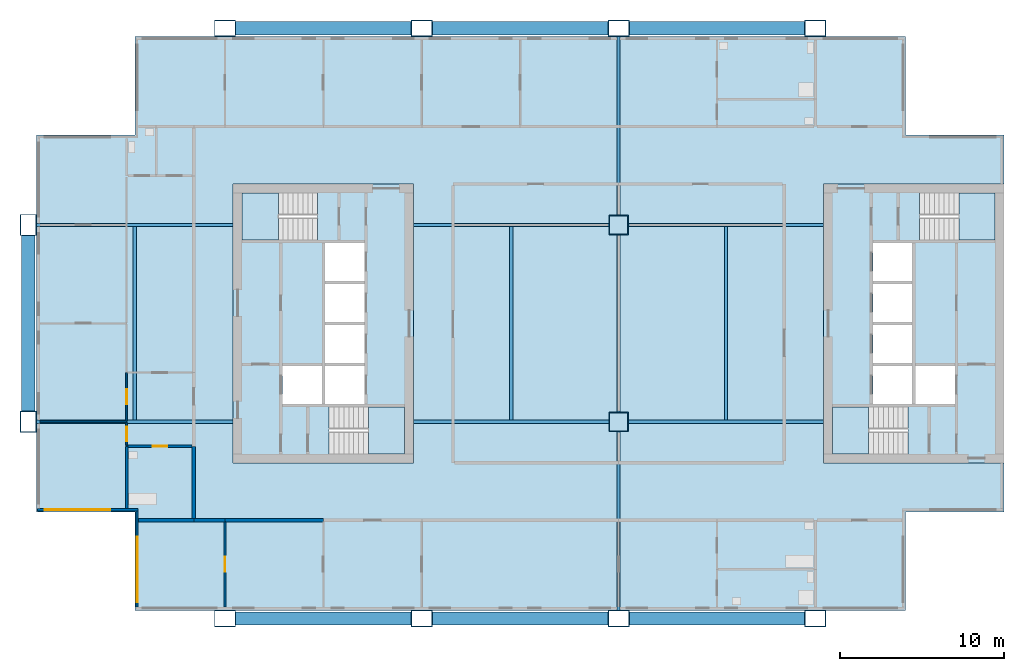
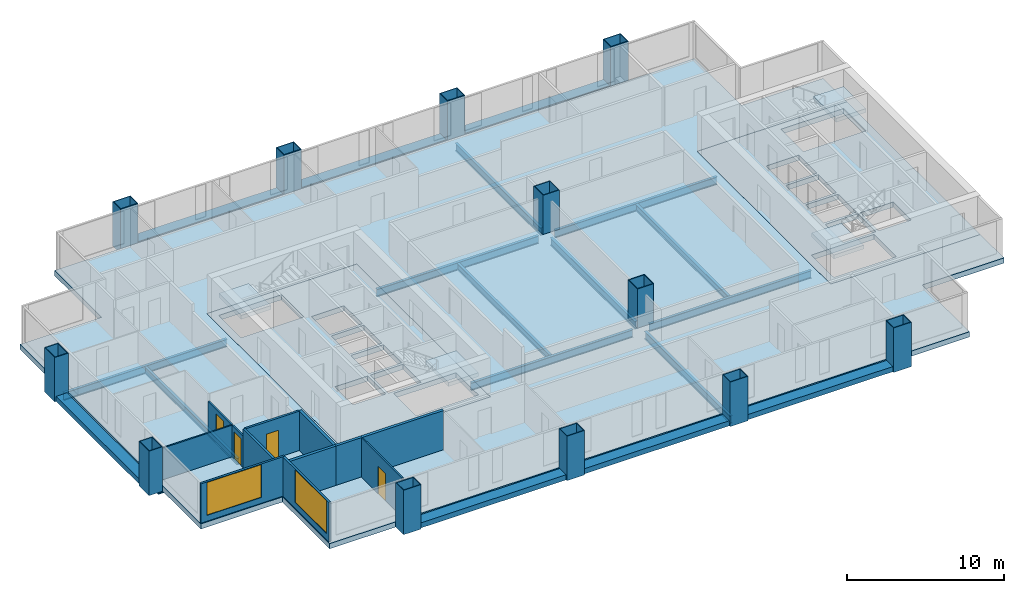
# One storey, part 1 of 9: 19 beams, 12 columns, 12 walls, 7 slabs, 4 doors, 2 windows, 6 openings, 4 elements without a shape of their own.
"""IFC4 building model written with IfcOpenShell, lengths in metres."""

from ifc_helpers import new_model, si_unit, direction, frame, frame_2d, origin, origin_2d, place, context, subcontext, project, spatial, polyline, rectangle, hollow_rectangle, i_section, outline, extrude, material, layer, layer_set, material_profile, profile_set, type_object, element, fill, aggregate, save


model = new_model("IFC4")

# Units and contexts
model_context = context("Model", 3, precision=1e-05, world=origin(), true_north=direction((0.0, 1.0)))
body_context = subcontext(model_context, "Body", "Model", "MODEL_VIEW")
ifc_project = project(units=[si_unit("LENGTHUNIT", "METRE"), si_unit("AREAUNIT", "SQUARE_METRE"), si_unit("VOLUMEUNIT", "CUBIC_METRE"), si_unit("PLANEANGLEUNIT", "RADIAN"), si_unit("MASSUNIT", "GRAM", prefix="KILO")], contexts=[model_context])

# Site, building, storey
site_placement = place(None, origin())
site = spatial("IfcSite", under=ifc_project, at=site_placement, CompositionType="ELEMENT")
building_placement = place(site_placement, origin())
building = spatial("IfcBuilding", under=site, at=building_placement, Name="Kitamizu Gate Tower and Museum", CompositionType="ELEMENT")
storey_placement = place(building_placement, frame((0.0, 0.0, 168.60009765625)))
storey = spatial("IfcBuildingStorey", under=building, at=storey_placement, Name="L44", CompositionType="ELEMENT", Elevation=168.60009765625)

# Columns
ifc_material_1 = material(Name="Steel SM490A bronze coated", Category="steel")
ifc_material_profile_1 = material_profile(ifc_material_1, hollow_rectangle(XDim=1.300048828125, YDim=1.0, WallThickness=0.050048828125, at=origin_2d()), Name="BOX 1300x1000x50")
ifc_profile_set_1 = profile_set([ifc_material_profile_1], Name="Steel SM490A bronze coated")
column_type_1 = type_object("IfcColumnType", Name="Exoskeleton column XC6 BOX 1300x1000x50", PredefinedType="COLUMN", material=ifc_profile_set_1)
for number, where, z_axis, x_axis, name in (
    (1, (0.0, 24.0, -0.400146484375), (0.0, 0.0, 1.0), (0.0, 1.0, 0.0), "Column XC6 1C L44"),
    (2, (0.0, 36.0, -0.400146484375), (0.0, 0.0, 1.0), (0.0, 1.0, 0.0), "Column XC6 1D L44"),
    (3, (12.0, 12.0, -0.400146484375), (0.0, 0.0, 1.0), (1.0, 0.0, 0.0), "Column XC6 2B L44"),
    (4, (12.0, 48.0, -0.400146484375), (0.0, 0.0, 1.0), (1.0, 0.0, 0.0), "Column XC6 2E L44"),
    (5, (24.0, 12.0, -0.400146484375), (0.0, 0.0, 1.0), (1.0, 0.0, 0.0), "Column XC6 3B L44"),
    (6, (24.0, 48.0, -0.400146484375), (0.0, 0.0, 1.0), (1.0, 0.0, 0.0), "Column XC6 3E L44"),
    (7, (36.0, 12.0, -0.400146484375), (0.0, 0.0, 1.0), (1.0, 0.0, 0.0), "Column XC6 4B L44"),
    (8, (36.0, 48.0, -0.400146484375), (0.0, 0.0, 1.0), (1.0, 0.0, 0.0), "Column XC6 4E L44"),
    (9, (48.0, 12.0, -0.400146484375), (0.0, 0.0, 1.0), (1.0, 0.0, 0.0), "Column XC6 5B L44"),
    (10, (48.0, 48.0, -0.400146484375), (0.0, 0.0, 1.0), (1.0, 0.0, 0.0), "Column XC6 5E L44"),
):
    element("IfcColumn", number, at=place(storey_placement, frame(where, z_axis=z_axis, x_axis=x_axis)), inside=storey, type_object=column_type_1, Name=name, PredefinedType="COLUMN", context=body_context, shape_type="SweptSolid", body=[
        extrude(hollow_rectangle(XDim=1.300048828125, YDim=1.0, WallThickness=0.050048828125, at=origin_2d()), origin(), (0.0, 0.0, 1.0), 3.449951171875),
    ])
ifc_material_2 = material(Name="Steel SM490A", Category="steel")
ifc_material_profile_2 = material_profile(ifc_material_2, hollow_rectangle(XDim=1.199951171875, YDim=1.199951171875, WallThickness=0.050048828125, at=origin_2d()), Name="BOX 1200x1200x50")
ifc_profile_set_2 = profile_set([ifc_material_profile_2], Name="Steel SM490A")
column_type_2 = type_object("IfcColumnType", Name="Interior column IC4 BOX 1200x1200x50", PredefinedType="COLUMN", material=ifc_profile_set_2)
for number, where, z_axis, x_axis, name in (
    (11, (36.0, 24.0, 0.0), (0.0, 0.0, 1.0), (1.0, 0.0, 0.0), "Column IC4 4C L44"),
    (12, (36.0, 36.0, 0.0), (0.0, 0.0, 1.0), (1.0, 0.0, 0.0), "Column IC4 4D L44"),
):
    element("IfcColumn", number, at=place(storey_placement, frame(where, z_axis=z_axis, x_axis=x_axis)), inside=storey, type_object=column_type_2, Name=name, PredefinedType="COLUMN", context=body_context, shape_type="SweptSolid", body=[
        extrude(hollow_rectangle(XDim=1.199951171875, YDim=1.199951171875, WallThickness=0.050048828125, at=origin_2d()), origin(), (0.0, 0.0, 1.0), 3.0498046875),
    ])

# Beams
ifc_material_3 = material(Name="Steel SM490A bronze coated", Category="steel")
ifc_material_profile_3 = material_profile(ifc_material_3, hollow_rectangle(XDim=0.800048828125, YDim=0.39990234375, WallThickness=0.0400390625, at=origin_2d()), Name="BOX 800x400x40")
ifc_profile_set_3 = profile_set([ifc_material_profile_3], Name="Steel SM490A bronze coated")
beam_type_1 = type_object("IfcBeamType", Name="Exoskeleton spandrel beam SB1 BOX 800x400x40", PredefinedType="SPANDREL", material=ifc_profile_set_3)
for number, where, z_axis, x_axis, name in (
    (13, (12.64990234375, 12.0, -0.2001953125), (1.0, 0.0, 0.0), (0.0, 1.0, 0.0), "Exoskeleton spandrel beam south 12 L44"),
    (14, (24.64990234375, 12.0, -0.2001953125), (1.0, 0.0, 0.0), (0.0, 1.0, 0.0), "Exoskeleton spandrel beam south 24 L44"),
    (15, (36.64990234375, 12.0, -0.2001953125), (1.0, 0.0, 0.0), (0.0, 1.0, 0.0), "Exoskeleton spandrel beam south 36 L44"),
    (16, (12.64990234375, 48.0, -0.2001953125), (1.0, 0.0, 0.0), (0.0, 1.0, 0.0), "Exoskeleton spandrel beam north 12 L44"),
    (17, (24.64990234375, 48.0, -0.2001953125), (1.0, 0.0, 0.0), (0.0, 1.0, 0.0), "Exoskeleton spandrel beam north 24 L44"),
    (18, (36.64990234375, 48.0, -0.2001953125), (1.0, 0.0, 0.0), (0.0, 1.0, 0.0), "Exoskeleton spandrel beam north 36 L44"),
    (19, (0.0, 24.64990234375, -0.2001953125), (0.0, 1.0, 0.0), (-1.0, 0.0, 0.0), "Exoskeleton spandrel beam west 24 L44"),
):
    element("IfcBeam", number, at=place(storey_placement, frame(where, z_axis=z_axis, x_axis=x_axis)), inside=storey, type_object=beam_type_1, Name=name, PredefinedType="SPANDREL", context=body_context, shape_type="SweptSolid", body=[
        extrude(hollow_rectangle(XDim=0.800048828125, YDim=0.39990234375, WallThickness=0.0400390625, at=origin_2d()), origin(), (0.0, 0.0, 1.0), 10.7001953125),
    ])
ifc_material_4 = material(Name="Steel SM490A", Category="steel")
ifc_material_profile_4 = material_profile(ifc_material_4, i_section(OverallWidth=0.199951171875, OverallDepth=0.5, WebThickness=0.010009765625, FlangeThickness=0.01611328125, FilletRadius=0.02001953125, at=origin_2d()), Name="H-500x200x10x16")
ifc_profile_set_4 = profile_set([ifc_material_profile_4], Name="Steel SM490A")
beam_type_2 = type_object("IfcBeamType", Name="Floor beam FB1 H 500x200x10x16", PredefinedType="BEAM", material=ifc_profile_set_4)
for number, where, z_axis, x_axis, name in (
    (20, (6.5, 24.10009765625, -0.650146484375), (0.0, 1.0, 0.0), (-1.0, 0.0, 0.0), "Floor beam FB1 L44-1"),
    (21, (29.449951171875, 24.10009765625, -0.650146484375), (0.0, 1.0, 0.0), (-1.0, 0.0, 0.0), "Floor beam FB1 L44-2"),
    (22, (42.550048828125, 24.10009765625, -0.650146484375), (0.0, 1.0, 0.0), (-1.0, 0.0, 0.0), "Floor beam FB1 L44-3"),
):
    element("IfcBeam", number, at=place(storey_placement, frame(where, z_axis=z_axis, x_axis=x_axis)), inside=storey, type_object=beam_type_2, Name=name, PredefinedType="BEAM", context=body_context, shape_type="SweptSolid", body=[
        extrude(i_section(OverallWidth=0.199951171875, OverallDepth=0.5, WebThickness=0.010009765625, FlangeThickness=0.01611328125, FilletRadius=0.02001953125, at=origin_2d()), origin(), (0.0, 0.0, 1.0), 11.7998046875),
    ])
ifc_material_5 = material(Name="Steel SM490A", Category="steel")
ifc_material_profile_5 = material_profile(ifc_material_5, i_section(OverallWidth=0.199951171875, OverallDepth=0.60009765625, WebThickness=0.010986328125, FlangeThickness=0.01708984375, FilletRadius=0.02197265625, at=origin_2d()), Name="H-600x200x11x17")
ifc_profile_set_5 = profile_set([ifc_material_profile_5], Name="Steel SM490A")
beam_type_3 = type_object("IfcBeamType", Name="Floor girder FG1 H 600x200x11x17", PredefinedType="BEAM", material=ifc_profile_set_5)
beam_1_placement = place(storey_placement, frame((36.0, 12.5, -0.7001953125), z_axis=(0.0, 1.0, 0.0), x_axis=(-1.0, 0.0, 0.0)))
element("IfcBeam", 23, at=beam_1_placement, inside=storey, type_object=beam_type_3, Name="Floor girder FG1 x36 L44", PredefinedType="BEAM", context=body_context, shape_type="SweptSolid", body=[
    extrude(i_section(OverallWidth=0.199951171875, OverallDepth=0.60009765625, WebThickness=0.010986328125, FlangeThickness=0.01708984375, FilletRadius=0.02197265625, at=origin_2d()), origin(), (0.0, 0.0, 1.0), 10.89990234375),
])
beam_2_placement = place(storey_placement, frame((36.0, 24.60009765625, -0.7001953125), z_axis=(0.0, 1.0, 0.0), x_axis=(-1.0, 0.0, 0.0)))
element("IfcBeam", 24, at=beam_2_placement, inside=storey, type_object=beam_type_3, Name="Floor girder FG1 x36 L44", PredefinedType="BEAM", context=body_context, shape_type="SweptSolid", body=[
    extrude(i_section(OverallWidth=0.199951171875, OverallDepth=0.60009765625, WebThickness=0.010986328125, FlangeThickness=0.01708984375, FilletRadius=0.02197265625, at=origin_2d()), origin(), (0.0, 0.0, 1.0), 10.7998046875),
])
beam_3_placement = place(storey_placement, frame((36.0, 36.60009765625, -0.7001953125), z_axis=(0.0, 1.0, 0.0), x_axis=(-1.0, 0.0, 0.0)))
element("IfcBeam", 25, at=beam_3_placement, inside=storey, type_object=beam_type_3, Name="Floor girder FG1 x36 L44", PredefinedType="BEAM", context=body_context, shape_type="SweptSolid", body=[
    extrude(i_section(OverallWidth=0.199951171875, OverallDepth=0.60009765625, WebThickness=0.010986328125, FlangeThickness=0.01708984375, FilletRadius=0.02197265625, at=origin_2d()), origin(), (0.0, 0.0, 1.0), 10.89990234375),
])
beam_4_placement = place(storey_placement, frame((0.5, 24.0, -0.7001953125), z_axis=(1.0, 0.0, 0.0), x_axis=(0.0, 1.0, 0.0)))
element("IfcBeam", 26, at=beam_4_placement, inside=storey, type_object=beam_type_3, Name="Floor girder FG1 y24 L44", PredefinedType="BEAM", context=body_context, shape_type="SweptSolid", body=[
    extrude(i_section(OverallWidth=0.199951171875, OverallDepth=0.60009765625, WebThickness=0.010986328125, FlangeThickness=0.01708984375, FilletRadius=0.02197265625, at=origin_2d()), origin(), (0.0, 0.0, 1.0), 12.0),
])
for number, where, z_axis, x_axis, name in (
    (27, (23.5, 24.0, -0.7001953125), (1.0, 0.0, 0.0), (0.0, 1.0, 0.0), "Floor girder FG1 y24 L44"),
    (28, (36.60009765625, 24.0, -0.7001953125), (1.0, 0.0, 0.0), (0.0, 1.0, 0.0), "Floor girder FG1 y24 L44"),
):
    element("IfcBeam", number, at=place(storey_placement, frame(where, z_axis=z_axis, x_axis=x_axis)), inside=storey, type_object=beam_type_3, Name=name, PredefinedType="BEAM", context=body_context, shape_type="SweptSolid", body=[
        extrude(i_section(OverallWidth=0.199951171875, OverallDepth=0.60009765625, WebThickness=0.010986328125, FlangeThickness=0.01708984375, FilletRadius=0.02197265625, at=origin_2d()), origin(), (0.0, 0.0, 1.0), 11.89990234375),
    ])
beam_5_placement = place(storey_placement, frame((0.5, 36.0, -0.7001953125), z_axis=(1.0, 0.0, 0.0), x_axis=(0.0, 1.0, 0.0)))
element("IfcBeam", 29, at=beam_5_placement, inside=storey, type_object=beam_type_3, Name="Floor girder FG1 y36 L44", PredefinedType="BEAM", context=body_context, shape_type="SweptSolid", body=[
    extrude(i_section(OverallWidth=0.199951171875, OverallDepth=0.60009765625, WebThickness=0.010986328125, FlangeThickness=0.01708984375, FilletRadius=0.02197265625, at=origin_2d()), origin(), (0.0, 0.0, 1.0), 12.0),
])
for number, where, z_axis, x_axis, name in (
    (30, (23.5, 36.0, -0.7001953125), (1.0, 0.0, 0.0), (0.0, 1.0, 0.0), "Floor girder FG1 y36 L44"),
    (31, (36.60009765625, 36.0, -0.7001953125), (1.0, 0.0, 0.0), (0.0, 1.0, 0.0), "Floor girder FG1 y36 L44"),
):
    element("IfcBeam", number, at=place(storey_placement, frame(where, z_axis=z_axis, x_axis=x_axis)), inside=storey, type_object=beam_type_3, Name=name, PredefinedType="BEAM", context=body_context, shape_type="SweptSolid", body=[
        extrude(i_section(OverallWidth=0.199951171875, OverallDepth=0.60009765625, WebThickness=0.010986328125, FlangeThickness=0.01708984375, FilletRadius=0.02197265625, at=origin_2d()), origin(), (0.0, 0.0, 1.0), 11.89990234375),
    ])

# Slabs
ifc_material_6 = material(Name="Concrete Fc36", Category="concrete")
ifc_layer_1 = layer(ifc_material_6, 0.39990234375)
ifc_layer_set_1 = layer_set([ifc_layer_1], Name="Concrete Fc36")
slab_type_1 = type_object("IfcSlabType", Name="Core floor slab 400", PredefinedType="FLOOR", material=ifc_layer_set_1)
slab_1_placement = place(storey_placement, frame((0.0, 0.0, -0.400146484375)))
element("IfcSlab", 32, at=slab_1_placement, inside=storey, type_object=slab_type_1, Name="Core floor slab W", PredefinedType="FLOOR", context=body_context, shape_type="SweptSolid", body=[
    extrude(outline(polyline([(12.5, 21.5), (23.5, 21.5), (23.5, 38.5), (12.5, 38.5), (12.5, 21.5)]), holes=[polyline([(15.5, 25.10009765625), (17.89990234375, 25.10009765625), (17.89990234375, 27.39990234375), (15.5, 27.39990234375), (15.5, 25.10009765625)]), polyline([(18.10009765625, 25.10009765625), (20.5, 25.10009765625), (20.5, 27.39990234375), (18.10009765625, 27.39990234375), (18.10009765625, 25.10009765625)]), polyline([(18.10009765625, 27.60009765625), (20.5, 27.60009765625), (20.5, 29.89990234375), (18.10009765625, 29.89990234375), (18.10009765625, 27.60009765625)]), polyline([(18.10009765625, 30.10009765625), (20.5, 30.10009765625), (20.5, 32.39990234375), (18.10009765625, 32.39990234375), (18.10009765625, 30.10009765625)]), polyline([(18.10009765625, 32.60009765625), (20.5, 32.60009765625), (20.5, 34.89990234375), (18.10009765625, 34.89990234375), (18.10009765625, 32.60009765625)]), polyline([(18.3505859375, 22.050048828125), (22.949951171875, 22.050048828125), (22.949951171875, 24.89990234375), (18.3505859375, 24.89990234375), (18.3505859375, 22.050048828125)]), polyline([(13.050048828125, 35.10009765625), (17.6494140625, 35.10009765625), (17.6494140625, 37.949951171875), (13.050048828125, 37.949951171875), (13.050048828125, 35.10009765625)])]), origin(), (0.0, 0.0, 1.0), 0.400146484375),
])
slab_2_placement = place(storey_placement, frame((0.0, 0.0, -0.400146484375)))
element("IfcSlab", 33, at=slab_2_placement, inside=storey, type_object=slab_type_1, Name="Core floor slab E", PredefinedType="FLOOR", context=body_context, shape_type="SweptSolid", body=[
    extrude(outline(polyline([(48.5, 21.5), (59.5, 21.5), (59.5, 38.5), (48.5, 38.5), (48.5, 21.5)]), holes=[polyline([(54.10009765625, 25.10009765625), (56.5, 25.10009765625), (56.5, 27.39990234375), (54.10009765625, 27.39990234375), (54.10009765625, 25.10009765625)]), polyline([(51.5, 25.10009765625), (53.89990234375, 25.10009765625), (53.89990234375, 27.39990234375), (51.5, 27.39990234375), (51.5, 25.10009765625)]), polyline([(51.5, 27.60009765625), (53.89990234375, 27.60009765625), (53.89990234375, 29.89990234375), (51.5, 29.89990234375), (51.5, 27.60009765625)]), polyline([(51.5, 30.10009765625), (53.89990234375, 30.10009765625), (53.89990234375, 32.39990234375), (51.5, 32.39990234375), (51.5, 30.10009765625)]), polyline([(51.5, 32.60009765625), (53.89990234375, 32.60009765625), (53.89990234375, 34.89990234375), (51.5, 34.89990234375), (51.5, 32.60009765625)]), polyline([(49.050048828125, 22.050048828125), (53.6494140625, 22.050048828125), (53.6494140625, 24.89990234375), (49.050048828125, 24.89990234375), (49.050048828125, 22.050048828125)]), polyline([(54.3505859375, 35.10009765625), (58.949951171875, 35.10009765625), (58.949951171875, 37.949951171875), (54.3505859375, 37.949951171875), (54.3505859375, 35.10009765625)])]), origin(), (0.0, 0.0, 1.0), 0.400146484375),
])
ifc_material_7 = material(Name="Concrete Fc36", Category="concrete")
ifc_layer_2 = layer(ifc_material_7, 0.39990234375)
ifc_layer_set_2 = layer_set([ifc_layer_2], Name="Concrete Fc36")
slab_type_2 = type_object("IfcSlabType", Name="Post tensioned flat slab 400", PredefinedType="FLOOR", material=ifc_layer_set_2)
slab_3_placement = place(storey_placement, frame((0.0, 0.0, -0.400146484375)))
element("IfcSlab", 34, at=slab_3_placement, inside=storey, type_object=slab_type_2, Name="Floor slab L44-1", PredefinedType="FLOOR", context=body_context, shape_type="SweptSolid", body=[
    extrude(outline(polyline([(0.5, 18.5), (0.5, 41.5), (6.5, 41.5), (6.5, 47.5), (53.5, 47.5), (53.5, 41.5), (59.5, 41.5), (59.5, 38.5), (48.5, 38.5), (48.5, 21.5), (59.5, 21.5), (59.5, 18.5), (53.5, 18.5), (53.5, 12.5), (6.5, 12.5), (6.5, 18.5), (0.5, 18.5)]), holes=[polyline([(12.5, 38.5), (12.5, 21.5), (23.5, 21.5), (23.5, 38.5), (12.5, 38.5)])]), origin(), (0.0, 0.0, 1.0), 0.400146484375),
])

# Stair, slab
ifc_material_8 = material(Name="Concrete Fc42", Category="concrete")
stair_type = type_object("IfcStairType", Name="Exit stair 1325 wide 192 rise 300 going", PredefinedType="HALF_TURN_STAIR", material=ifc_material_8)
stair_1_placement = place(storey_placement, origin())
stair_1 = element("IfcStair", 35, at=stair_1_placement, inside=storey, type_object=stair_type, Name="Exit stair ST1", PredefinedType="HALF_TURN_STAIR")
ifc_material_9 = material(Name="Concrete Fc42", Category="concrete")
ifc_layer_3 = layer(ifc_material_9, 0.300048828125)
ifc_layer_set_3 = layer_set([ifc_layer_3], Name="Concrete Fc42")
slab_type_3 = type_object("IfcSlabType", Name="Stair landing 300", PredefinedType="LANDING", material=ifc_layer_set_3)
slab_4_placement = place(storey_placement, frame((0.0, 0.0, 1.4248046875)))
slab_4 = element("IfcSlab", 36, at=slab_4_placement, type_object=slab_type_3, Name="ST1 landing 1", PredefinedType="LANDING", context=body_context, shape_type="SweptSolid", body=[
    extrude(outline(polyline([(20.75, 22.050048828125), (22.949951171875, 22.050048828125), (22.949951171875, 24.89990234375), (20.75, 24.89990234375), (20.75, 22.050048828125)])), origin(), (0.0, 0.0, 1.0), 0.300048828125),
])
aggregate(stair_1, [slab_4])

stair_2_placement = place(storey_placement, origin())
stair_2 = element("IfcStair", 37, at=stair_2_placement, inside=storey, type_object=stair_type, Name="Exit stair ST2", PredefinedType="HALF_TURN_STAIR")
slab_5_placement = place(storey_placement, frame((0.0, 0.0, 1.4248046875)))
slab_5 = element("IfcSlab", 38, at=slab_5_placement, type_object=slab_type_3, Name="ST2 landing 1", PredefinedType="LANDING", context=body_context, shape_type="SweptSolid", body=[
    extrude(outline(polyline([(13.050048828125, 35.10009765625), (15.25, 35.10009765625), (15.25, 37.949951171875), (13.050048828125, 37.949951171875), (13.050048828125, 35.10009765625)])), origin(), (0.0, 0.0, 1.0), 0.300048828125),
])
aggregate(stair_2, [slab_5])

stair_3_placement = place(storey_placement, origin())
stair_3 = element("IfcStair", 39, at=stair_3_placement, inside=storey, type_object=stair_type, Name="Exit stair ST3", PredefinedType="HALF_TURN_STAIR")
slab_6_placement = place(storey_placement, frame((0.0, 0.0, 1.4248046875)))
slab_6 = element("IfcSlab", 40, at=slab_6_placement, type_object=slab_type_3, Name="ST3 landing 1", PredefinedType="LANDING", context=body_context, shape_type="SweptSolid", body=[
    extrude(outline(polyline([(49.050048828125, 22.050048828125), (51.25, 22.050048828125), (51.25, 24.89990234375), (49.050048828125, 24.89990234375), (49.050048828125, 22.050048828125)])), origin(), (0.0, 0.0, 1.0), 0.300048828125),
])
aggregate(stair_3, [slab_6])

stair_4_placement = place(storey_placement, origin())
stair_4 = element("IfcStair", 41, at=stair_4_placement, inside=storey, type_object=stair_type, Name="Exit stair ST4", PredefinedType="HALF_TURN_STAIR")
slab_7_placement = place(storey_placement, frame((0.0, 0.0, 1.4248046875)))
slab_7 = element("IfcSlab", 42, at=slab_7_placement, type_object=slab_type_3, Name="ST4 landing 1", PredefinedType="LANDING", context=body_context, shape_type="SweptSolid", body=[
    extrude(outline(polyline([(56.75, 35.10009765625), (58.949951171875, 35.10009765625), (58.949951171875, 37.949951171875), (56.75, 37.949951171875), (56.75, 35.10009765625)])), origin(), (0.0, 0.0, 1.0), 0.300048828125),
])
aggregate(stair_4, [slab_7])

# Wall, opening, door
ifc_material_10 = material(Name="Gypsum board on galvanised stud")
ifc_layer_4 = layer(ifc_material_10, 0.10009765625)
ifc_layer_set_4 = layer_set([ifc_layer_4], Name="Gypsum board on galvanised stud")
wall_type_1 = type_object("IfcWallType", Name="Partition 100 NOT RATED", PredefinedType="PARTITIONING", material=ifc_layer_set_4)
wall_1_placement = place(storey_placement, frame((12.0, 12.719970703125, 0.0), z_axis=(0.0, 0.0, 1.0), x_axis=(0.0, 1.0, 0.0)))
wall_1 = element("IfcWall", 43, at=wall_1_placement, inside=storey, type_object=wall_type_1, Name="Partition L44-001", PredefinedType="PARTITIONING", context=body_context, shape_type="SweptSolid", body=[
    extrude(rectangle(XDim=5.179931640625, YDim=0.10009765625, at=frame_2d((2.58984375, 0.0))), origin(), (0.0, 0.0, 1.0), 3.0498046875),
])
opening_1_placement = place(wall_1_placement, frame((2.139892578125, 0.0, 0.0)))
opening_1 = element("IfcOpeningElement", 44, at=opening_1_placement, cuts=wall_1, Name="Opening L44-006", PredefinedType="OPENING", context=body_context, shape_type="SweptSolid", body=[
    extrude(rectangle(XDim=0.89990234375, YDim=2.10009765625, at=frame_2d((0.449951171875, 1.050048828125))), frame((0.0, 0.06005859375, 0.0), z_axis=(0.0, -1.0, 0.0), x_axis=(1.0, 0.0, 0.0)), (0.0, 0.0, 1.0), 0.1201171875),
])
ifc_material_11 = material(Name="Timber door set", Category="wood")
door_type_1 = type_object("IfcDoorType", Name="Room door 900", OperationType="NOTDEFINED", PredefinedType="DOOR", material=ifc_material_11)
door_1_placement = place(opening_1_placement, origin())
door_1 = element("IfcDoor", 45, at=door_1_placement, inside=storey, type_object=door_type_1, Name="Door L44-006", OperationType="SINGLE_SWING_LEFT", OverallHeight=2.10009765625, OverallWidth=0.89990234375, PredefinedType="DOOR", context=body_context, shape_type="SweptSolid", body=[
    extrude(rectangle(XDim=0.89990234375, YDim=2.10009765625, at=frame_2d((0.449951171875, 1.050048828125))), frame((0.0, 0.02490234375, 0.0), z_axis=(0.0, -1.0, 0.0), x_axis=(1.0, 0.0, 0.0)), (0.0, 0.0, 1.0), 0.050048828125),
])
fill(opening_1, door_1)

# Wall
wall_2_placement = place(storey_placement, frame((6.0, 24.0, 0.0), z_axis=(0.0, 0.0, 1.0), x_axis=(-1.0, 0.0, 0.0)))
element("IfcWall", 46, at=wall_2_placement, inside=storey, type_object=wall_type_1, Name="Partition L44-037", PredefinedType="PARTITIONING", context=body_context, shape_type="SweptSolid", body=[
    extrude(rectangle(XDim=5.280029296875, YDim=0.10009765625, at=frame_2d((2.64013671875, 0.0))), origin(), (0.0, 0.0, 1.0), 2.449951171875),
])

# Wall, opening, door
wall_3_placement = place(storey_placement, frame((6.0, 22.574951171875, 0.0), z_axis=(0.0, 0.0, 1.0), x_axis=(0.0, 1.0, 0.0)))
wall_3 = element("IfcWall", 47, at=wall_3_placement, inside=storey, type_object=wall_type_1, Name="Partition L44-039", PredefinedType="PARTITIONING", context=body_context, shape_type="SweptSolid", body=[
    extrude(rectangle(XDim=1.375, YDim=0.10009765625, at=frame_2d((0.6875, 0.0))), origin(), (0.0, 0.0, 1.0), 2.449951171875),
])
opening_2_placement = place(wall_3_placement, frame((0.237548828125, 0.0, 0.0)))
opening_2 = element("IfcOpeningElement", 48, at=opening_2_placement, cuts=wall_3, Name="Opening L44-016", PredefinedType="OPENING", context=body_context, shape_type="SweptSolid", body=[
    extrude(rectangle(XDim=0.89990234375, YDim=2.10009765625, at=frame_2d((0.449951171875, 1.050048828125))), frame((0.0, 0.06005859375, 0.0), z_axis=(0.0, -1.0, 0.0), x_axis=(1.0, 0.0, 0.0)), (0.0, 0.0, 1.0), 0.1201171875),
])
door_2_placement = place(opening_2_placement, origin())
door_2 = element("IfcDoor", 49, at=door_2_placement, inside=storey, type_object=door_type_1, Name="Door L44-016", OperationType="SINGLE_SWING_LEFT", OverallHeight=2.10009765625, OverallWidth=0.89990234375, PredefinedType="DOOR", context=body_context, shape_type="SweptSolid", body=[
    extrude(rectangle(XDim=0.89990234375, YDim=2.10009765625, at=frame_2d((0.449951171875, 1.050048828125))), frame((0.0, 0.02490234375, 0.0), z_axis=(0.0, -1.0, 0.0), x_axis=(1.0, 0.0, 0.0)), (0.0, 0.0, 1.0), 0.050048828125),
])
fill(opening_2, door_2)

wall_4_placement = place(storey_placement, frame((6.0, 24.050048828125, 0.0), z_axis=(0.0, 0.0, 1.0), x_axis=(0.0, 1.0, 0.0)))
wall_4 = element("IfcWall", 50, at=wall_4_placement, inside=storey, type_object=wall_type_1, Name="Partition L44-041", PredefinedType="PARTITIONING", context=body_context, shape_type="SweptSolid", body=[
    extrude(rectangle(XDim=2.949951171875, YDim=0.10009765625, at=frame_2d((1.47509765625, 0.0))), origin(), (0.0, 0.0, 1.0), 2.449951171875),
])
opening_3_placement = place(wall_4_placement, frame((1.02490234375, 0.0, 0.0)))
opening_3 = element("IfcOpeningElement", 51, at=opening_3_placement, cuts=wall_4, Name="Opening L44-017", PredefinedType="OPENING", context=body_context, shape_type="SweptSolid", body=[
    extrude(rectangle(XDim=0.89990234375, YDim=2.10009765625, at=frame_2d((0.449951171875, 1.050048828125))), frame((0.0, 0.06005859375, 0.0), z_axis=(0.0, -1.0, 0.0), x_axis=(1.0, 0.0, 0.0)), (0.0, 0.0, 1.0), 0.1201171875),
])
door_3_placement = place(opening_3_placement, origin())
door_3 = element("IfcDoor", 52, at=door_3_placement, inside=storey, type_object=door_type_1, Name="Door L44-017", OperationType="SINGLE_SWING_RIGHT", OverallHeight=2.10009765625, OverallWidth=0.89990234375, PredefinedType="DOOR", context=body_context, shape_type="SweptSolid", body=[
    extrude(rectangle(XDim=0.89990234375, YDim=2.10009765625, at=frame_2d((0.449951171875, 1.050048828125))), frame((0.0, 0.02490234375, 0.0), z_axis=(0.0, -1.0, 0.0), x_axis=(1.0, 0.0, 0.0)), (0.0, 0.0, 1.0), 0.050048828125),
])
fill(opening_3, door_3)

# Wall
ifc_material_12 = material(Name="Gypsum board on galvanised stud")
ifc_layer_5 = layer(ifc_material_12, 0.14990234375)
ifc_layer_set_5 = layer_set([ifc_layer_5], Name="Gypsum board on galvanised stud")
wall_type_2 = type_object("IfcWallType", Name="Partition 150", PredefinedType="PARTITIONING", material=ifc_layer_set_5)
wall_5_placement = place(storey_placement, frame((6.0, 18.719970703125, 0.0), z_axis=(0.0, 0.0, 1.0), x_axis=(0.0, 1.0, 0.0)))
element("IfcWall", 53, at=wall_5_placement, inside=storey, type_object=wall_type_2, Name="Partition L44-038", PredefinedType="PARTITIONING", context=body_context, shape_type="SweptSolid", body=[
    extrude(rectangle(XDim=3.780029296875, YDim=0.14990234375, at=frame_2d((1.89013671875, 0.0))), origin(), (0.0, 0.0, 1.0), 3.0498046875),
])

# Wall, opening, door
wall_6_placement = place(storey_placement, frame((10.0, 22.5, 0.0), z_axis=(0.0, 0.0, 1.0), x_axis=(-1.0, 0.0, 0.0)))
wall_6 = element("IfcWall", 54, at=wall_6_placement, inside=storey, type_object=wall_type_2, Name="Partition L44-047", PredefinedType="PARTITIONING", context=body_context, shape_type="SweptSolid", body=[
    extrude(rectangle(XDim=3.925048828125, YDim=0.14990234375, at=frame_2d((1.96240234375, 0.0))), origin(), (0.0, 0.0, 1.0), 3.0498046875),
])
opening_4_placement = place(wall_6_placement, frame((1.512451171875, 0.0, 0.0)))
opening_4 = element("IfcOpeningElement", 55, at=opening_4_placement, cuts=wall_6, Name="Opening L44-021", PredefinedType="OPENING", context=body_context, shape_type="SweptSolid", body=[
    extrude(rectangle(XDim=0.89990234375, YDim=2.10009765625, at=frame_2d((0.449951171875, 1.050048828125))), frame((0.0, 0.0849609375, 0.0), z_axis=(0.0, -1.0, 0.0), x_axis=(1.0, 0.0, 0.0)), (0.0, 0.0, 1.0), 0.169921875),
])
ifc_material_13 = material(Name="Timber door set", Category="wood")
door_type_2 = type_object("IfcDoorType", Name="Bathroom door 900", OperationType="NOTDEFINED", PredefinedType="DOOR", material=ifc_material_13)
door_4_placement = place(opening_4_placement, origin())
door_4 = element("IfcDoor", 56, at=door_4_placement, inside=storey, type_object=door_type_2, Name="Bathroom door L44-021", OperationType="SINGLE_SWING_LEFT", OverallHeight=2.10009765625, OverallWidth=0.89990234375, PredefinedType="DOOR", context=body_context, shape_type="SweptSolid", body=[
    extrude(rectangle(XDim=0.89990234375, YDim=2.10009765625, at=frame_2d((0.449951171875, 1.050048828125))), frame((0.0, 0.02490234375, 0.0), z_axis=(0.0, -1.0, 0.0), x_axis=(1.0, 0.0, 0.0)), (0.0, 0.0, 1.0), 0.050048828125),
])
fill(opening_4, door_4)

# Walls
ifc_material_14 = material(Name="Gypsum board on galvanised stud")
ifc_layer_6 = layer(ifc_material_14, 0.199951171875)
ifc_layer_set_6 = layer_set([ifc_layer_6], Name="Gypsum board on galvanised stud")
wall_type_3 = type_object("IfcWallType", Name="Partition 200", PredefinedType="PARTITIONING", material=ifc_layer_set_6)
wall_7_placement = place(storey_placement, frame((10.10009765625, 18.0, 0.0), z_axis=(0.0, 0.0, 1.0), x_axis=(-1.0, 0.0, 0.0)))
element("IfcWall", 57, at=wall_7_placement, inside=storey, type_object=wall_type_3, Name="Partition L44-002", PredefinedType="PARTITIONING", context=body_context, shape_type="SweptSolid", body=[
    extrude(rectangle(XDim=3.380126953125, YDim=0.199951171875, at=frame_2d((1.68994140625, 0.0))), origin(), (0.0, 0.0, 1.0), 3.0498046875),
])
wall_8_placement = place(storey_placement, frame((12.0, 18.0, 0.0), z_axis=(0.0, 0.0, 1.0), x_axis=(-1.0, 0.0, 0.0)))
element("IfcWall", 58, at=wall_8_placement, inside=storey, type_object=wall_type_3, Name="Partition L44-003", PredefinedType="PARTITIONING", context=body_context, shape_type="SweptSolid", body=[
    extrude(rectangle(XDim=1.89990234375, YDim=0.199951171875, at=frame_2d((0.949951171875, 0.0))), origin(), (0.0, 0.0, 1.0), 3.0498046875),
])
wall_9_placement = place(storey_placement, frame((18.0, 18.0, 0.0), z_axis=(0.0, 0.0, 1.0), x_axis=(-1.0, 0.0, 0.0)))
element("IfcWall", 59, at=wall_9_placement, inside=storey, type_object=wall_type_3, Name="Partition L44-005", PredefinedType="PARTITIONING", context=body_context, shape_type="SweptSolid", body=[
    extrude(rectangle(XDim=6.0, YDim=0.199951171875, at=frame_2d((3.0, 0.0))), origin(), (0.0, 0.0, 1.0), 3.0498046875),
])
wall_10_placement = place(storey_placement, frame((10.10009765625, 18.10009765625, 0.0), z_axis=(0.0, 0.0, 1.0), x_axis=(0.0, 1.0, 0.0)))
element("IfcWall", 60, at=wall_10_placement, inside=storey, type_object=wall_type_3, Name="Partition L44-048", PredefinedType="PARTITIONING", context=body_context, shape_type="SweptSolid", body=[
    extrude(rectangle(XDim=4.39990234375, YDim=0.199951171875, at=frame_2d((2.199951171875, 0.0))), origin(), (0.0, 0.0, 1.0), 3.0498046875),
])

# Wall, opening, window
ifc_material_15 = material(Name="Bronze anodised aluminium frame with insulated spandrel and tinted glass", Category="aluminium")
ifc_layer_7 = layer(ifc_material_15, 0.14990234375)
ifc_layer_set_7 = layer_set([ifc_layer_7], Name="Bronze anodised aluminium frame with insulated spandrel and tinted glass")
wall_type_4 = type_object("IfcWallType", Name="WINDOW WALL 150 BRONZE FRAME EI 30", PredefinedType="ELEMENTEDWALL", material=ifc_layer_set_7)
wall_11_placement = place(storey_placement, frame((0.56005859375, 18.635009765625, 0.0), z_axis=(0.0, 0.0, 1.0), x_axis=(1.0, 0.0, 0.0)))
wall_11 = element("IfcWall", 61, at=wall_11_placement, inside=storey, type_object=wall_type_4, Name="Window wall south L44", PredefinedType="ELEMENTEDWALL", context=body_context, shape_type="SweptSolid", body=[
    extrude(rectangle(XDim=6.14990234375, YDim=0.14990234375, at=frame_2d((3.074951171875, 0.0))), origin(), (0.0, 0.0, 1.0), 3.0498046875),
])
opening_5_placement = place(wall_11_placement, frame((0.43994140625, 0.0, 0.449951171875)))
opening_5 = element("IfcOpeningElement", 62, at=opening_5_placement, cuts=wall_11, Name="Opening W16", PredefinedType="OPENING", context=body_context, shape_type="SweptSolid", body=[
    extrude(rectangle(XDim=4.0, YDim=2.550048828125, at=frame_2d((2.0, 1.27490234375))), frame((0.0, 0.0849609375, 0.0), z_axis=(0.0, -1.0, 0.0), x_axis=(1.0, 0.0, 0.0)), (0.0, 0.0, 1.0), 0.169921875),
])
ifc_material_16 = material(Name="Bronze anodised aluminium frame, tinted triple glazing", Category="aluminium")
window_type = type_object("IfcWindowType", Name="WINDOW 4000 x 2550 SILL 450", PartitioningType="SINGLE_PANEL", PredefinedType="WINDOW", material=ifc_material_16)
window_1_placement = place(opening_5_placement, origin())
window_1 = element("IfcWindow", 63, at=window_1_placement, inside=storey, type_object=window_type, Name="Window W16 L44", OverallHeight=2.550048828125, OverallWidth=4.0, PartitioningType="SINGLE_PANEL", PredefinedType="WINDOW", context=body_context, shape_type="SweptSolid", body=[
    extrude(rectangle(XDim=4.0, YDim=2.550048828125, at=frame_2d((2.0, 1.27490234375))), frame((0.0, 0.030029296875, 0.0), z_axis=(0.0, -1.0, 0.0), x_axis=(1.0, 0.0, 0.0)), (0.0, 0.0, 1.0), 0.06005859375),
])
fill(opening_5, window_1)

wall_12_placement = place(storey_placement, frame((6.635009765625, 12.7099609375, 0.0), z_axis=(0.0, 0.0, 1.0), x_axis=(0.0, 1.0, 0.0)))
wall_12 = element("IfcWall", 64, at=wall_12_placement, inside=storey, type_object=wall_type_4, Name="Window wall west L44", PredefinedType="ELEMENTEDWALL", context=body_context, shape_type="SweptSolid", body=[
    extrude(rectangle(XDim=5.85009765625, YDim=0.14990234375, at=frame_2d((2.925048828125, 0.0))), origin(), (0.0, 0.0, 1.0), 3.0498046875),
])
opening_6_placement = place(wall_12_placement, frame((0.2900390625, 0.0, 0.449951171875)))
opening_6 = element("IfcOpeningElement", 65, at=opening_6_placement, cuts=wall_12, Name="Opening W16", PredefinedType="OPENING", context=body_context, shape_type="SweptSolid", body=[
    extrude(rectangle(XDim=4.0, YDim=2.550048828125, at=frame_2d((2.0, 1.27490234375))), frame((0.0, 0.0849609375, 0.0), z_axis=(0.0, -1.0, 0.0), x_axis=(1.0, 0.0, 0.0)), (0.0, 0.0, 1.0), 0.169921875),
])
window_2_placement = place(opening_6_placement, origin())
window_2 = element("IfcWindow", 66, at=window_2_placement, inside=storey, type_object=window_type, Name="Window W16 L44", OverallHeight=2.550048828125, OverallWidth=4.0, PartitioningType="SINGLE_PANEL", PredefinedType="WINDOW", context=body_context, shape_type="SweptSolid", body=[
    extrude(rectangle(XDim=4.0, YDim=2.550048828125, at=frame_2d((2.0, 1.27490234375))), frame((0.0, 0.030029296875, 0.0), z_axis=(0.0, -1.0, 0.0), x_axis=(1.0, 0.0, 0.0)), (0.0, 0.0, 1.0), 0.06005859375),
])
fill(opening_6, window_2)

save(model, "model.ifc")
